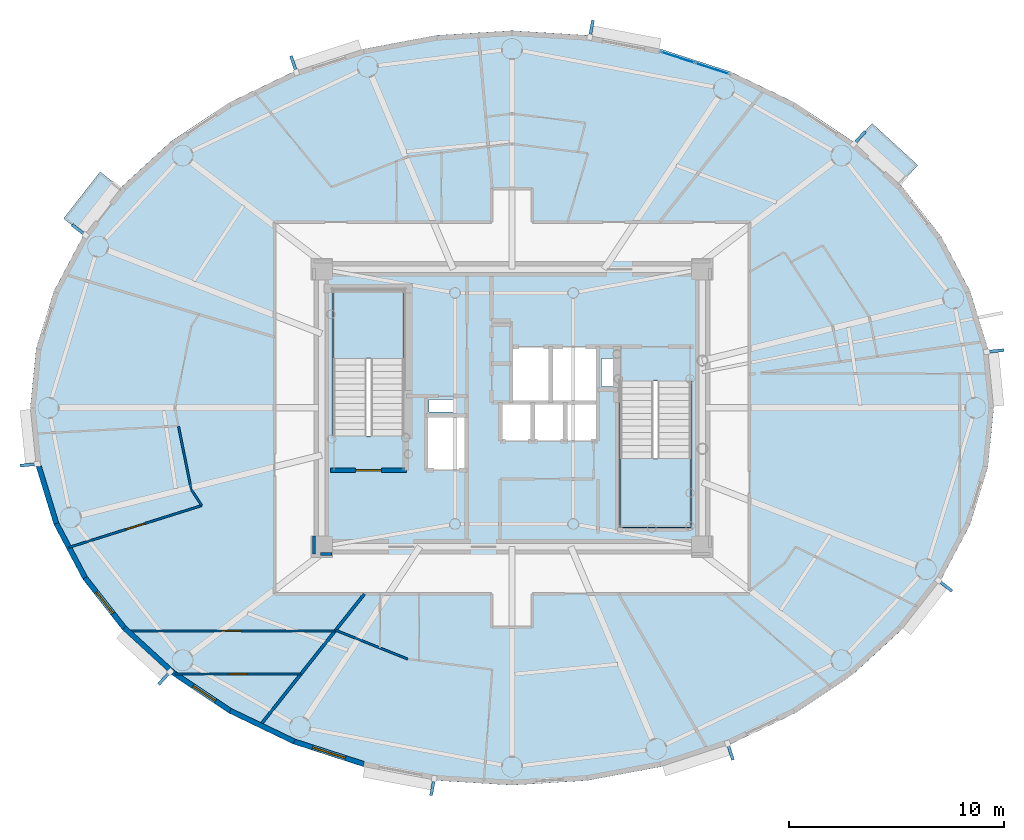
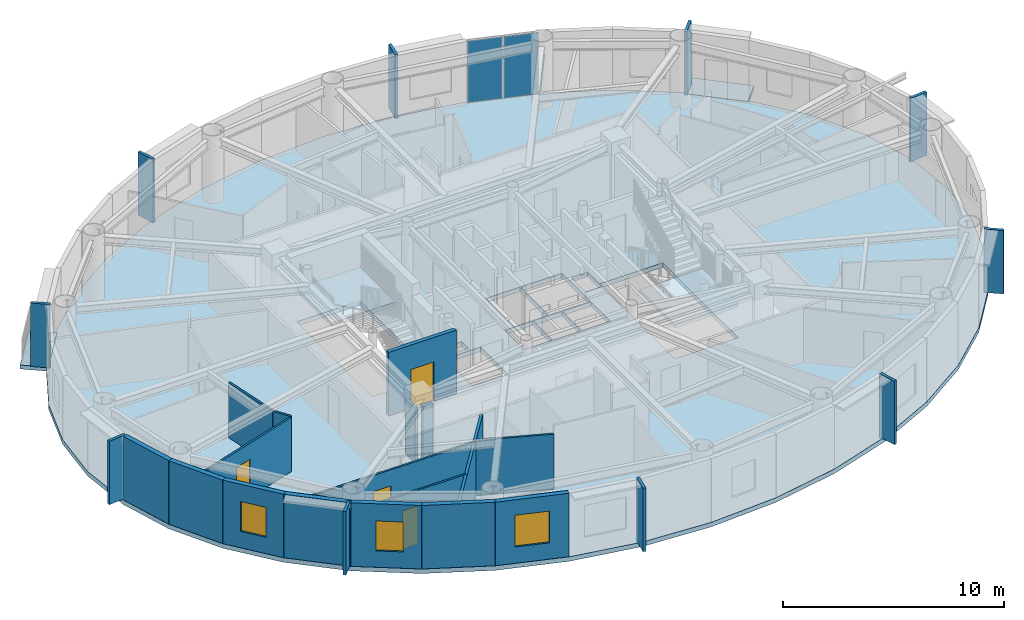
# One storey, part 5 of 17: 17 walls, 12 plates, 5 slabs, 4 doors, 3 windows, 7 openings, 3 elements without a shape of their own.
"""IFC4 building model written with IfcOpenShell, lengths in metres."""

from ifc_helpers import new_model, si_unit, direction, frame, frame_2d, origin, origin_2d, place, context, subcontext, project, spatial, polyline, rectangle, outline, extrude, source, transform, mapped, material, layer, layer_set, type_object, element, fill, aggregate, save


model = new_model("IFC4")

# Units and contexts
model_context = context("Model", 3, precision=1e-05, world=origin(), true_north=direction((0.0, 1.0)))
body_context = subcontext(model_context, "Body", "Model", "MODEL_VIEW")
ifc_project = project(units=[si_unit("LENGTHUNIT", "METRE"), si_unit("AREAUNIT", "SQUARE_METRE"), si_unit("VOLUMEUNIT", "CUBIC_METRE"), si_unit("PLANEANGLEUNIT", "RADIAN"), si_unit("MASSUNIT", "GRAM", prefix="KILO")], contexts=[model_context])

# Site, building, storey
site_placement = place(None, origin())
site = spatial("IfcSite", under=ifc_project, at=site_placement, CompositionType="ELEMENT")
building_placement = place(site_placement, origin())
building = spatial("IfcBuilding", under=site, at=building_placement, Name="Linh Dai School and Residence Tower", CompositionType="ELEMENT")
storey_placement = place(building_placement, frame((0.0, 0.0, 276.75)))
storey = spatial("IfcBuildingStorey", under=building, at=storey_placement, Name="L68", CompositionType="ELEMENT", Elevation=276.75)

# Slabs
ifc_material_1 = material(Name="Concrete B45 (C35/45)", Category="concrete")
ifc_layer_1 = layer(ifc_material_1, 0.219970703125)
ifc_layer_set_1 = layer_set([ifc_layer_1], Name="Concrete B45 (C35/45)")
slab_type_1 = type_object("IfcSlabType", Name="SLB-BALC-220", PredefinedType="FLOOR", material=ifc_layer_set_1)
slab_1_placement = place(storey_placement, frame((0.0, 0.0, -0.219970703125)))
element("IfcSlab", 1, at=slab_1_placement, inside=storey, type_object=slab_type_1, Name="L68 Sliding Balcony Slab 05", PredefinedType="FLOOR", context=body_context, shape_type="SweptSolid", body=[
    extrude(outline(polyline([(51.8662109375, 39.269775390625), (53.987060546875, 37.325439453125), (54.865478515625, 38.28369140625), (52.744873046875, 40.22802734375), (51.8662109375, 39.269775390625)])), origin(), (0.0, 0.0, 1.0), 0.219970703125),
])
slab_2_placement = place(storey_placement, frame((0.0, 0.0, -0.219970703125)))
element("IfcSlab", 2, at=slab_2_placement, inside=storey, type_object=slab_type_1, Name="L68 Sliding Balcony Slab 17", PredefinedType="FLOOR", context=body_context, shape_type="SweptSolid", body=[
    extrude(outline(polyline([(16.17236328125, 35.001220703125), (17.87255859375, 37.173828125), (16.848876953125, 37.974853515625), (15.148681640625, 35.802490234375), (16.17236328125, 35.001220703125)])), origin(), (0.0, 0.0, 1.0), 0.219970703125),
])
ifc_layer_2 = layer(ifc_material_1, 0.25)
ifc_layer_set_2 = layer_set([ifc_layer_2], Name="Concrete B45 (C35/45)")
slab_type_2 = type_object("IfcSlabType", Name="SLB-FLR250", PredefinedType="FLOOR", material=ifc_layer_set_2)
slab_3_placement = place(storey_placement, frame((0.0, 0.0, -0.25)))
element("IfcSlab", 3, at=slab_3_placement, inside=storey, type_object=slab_type_2, Name="L68 Composite Structural Floor Slab", PredefinedType="FLOOR", context=body_context, shape_type="SweptSolid", body=[
    extrude(outline(polyline([(58.39990234375, 27.0), (58.124267578125, 29.743896484375), (57.3037109375, 32.420166015625), (55.95849609375, 34.962890625), (54.1220703125, 37.309814453125), (51.839111328125, 39.402587890625), (49.16650390625, 41.190185546875), (46.16943359375, 42.628173828125), (42.921875, 43.681640625), (39.504150390625, 44.323974609375), (36.0, 44.5400390625), (32.495849609375, 44.323974609375), (29.078125, 43.681640625), (25.83056640625, 42.628173828125), (22.83349609375, 41.190185546875), (20.160888671875, 39.402587890625), (17.8779296875, 37.309814453125), (16.04150390625, 34.962890625), (14.6962890625, 32.420166015625), (13.875732421875, 29.743896484375), (13.60009765625, 27.0), (13.875732421875, 24.256103515625), (14.6962890625, 21.579833984375), (16.04150390625, 19.037109375), (17.8779296875, 16.690185546875), (20.160888671875, 14.597412109375), (22.83349609375, 12.809814453125), (25.83056640625, 11.371826171875), (29.078125, 10.318359375), (32.495849609375, 9.676025390625), (36.0, 9.4599609375), (39.504150390625, 9.676025390625), (42.921875, 10.318359375), (46.16943359375, 11.371826171875), (49.16650390625, 12.809814453125), (51.839111328125, 14.597412109375), (54.1220703125, 16.690185546875), (55.95849609375, 19.037109375), (57.3037109375, 21.579833984375), (58.124267578125, 24.256103515625), (58.39990234375, 27.0)]), holes=[polyline([(30.97998046875, 25.699951171875), (30.97998046875, 32.5), (27.679931640625, 32.5), (27.679931640625, 25.699951171875), (30.97998046875, 25.699951171875)]), polyline([(41.02001953125, 28.25), (41.02001953125, 21.449951171875), (44.320068359375, 21.449951171875), (44.320068359375, 28.25), (41.02001953125, 28.25)]), polyline([(35.97998046875, 27.280029296875), (37.77001953125, 27.280029296875), (37.77001953125, 29.820068359375), (35.97998046875, 29.820068359375), (35.97998046875, 27.280029296875)]), polyline([(32.030029296875, 24.1298828125), (33.8701171875, 24.1298828125), (33.8701171875, 26.6201171875), (32.030029296875, 26.6201171875), (32.030029296875, 24.1298828125)]), polyline([(37.830078125, 27.280029296875), (39.969970703125, 27.280029296875), (39.969970703125, 29.820068359375), (37.830078125, 29.820068359375), (37.830078125, 27.280029296875)]), polyline([(35.47998046875, 25.47998046875), (36.929931640625, 25.47998046875), (36.929931640625, 27.219970703125), (35.47998046875, 27.219970703125), (35.47998046875, 25.47998046875)]), polyline([(36.989990234375, 25.47998046875), (38.449951171875, 25.47998046875), (38.449951171875, 27.219970703125), (36.989990234375, 27.219970703125), (36.989990234375, 25.47998046875)]), polyline([(38.510009765625, 25.47998046875), (39.969970703125, 25.47998046875), (39.969970703125, 27.219970703125), (38.510009765625, 27.219970703125), (38.510009765625, 25.47998046875)]), polyline([(40.14990234375, 28.0), (40.14990234375, 29.300048828125), (41.0, 29.300048828125), (41.0, 28.280029296875), (40.989990234375, 28.280029296875), (40.989990234375, 28.0), (40.14990234375, 28.0)]), polyline([(32.14990234375, 26.800048828125), (33.35009765625, 26.800048828125), (33.35009765625, 27.39990234375), (32.14990234375, 27.39990234375), (32.14990234375, 26.800048828125)])]), origin(), (0.0, 0.0, 1.0), 0.25),
])

# Stair, slab
stair_type = type_object("IfcStairType", Name="ST-DOG-1550-R1442", PredefinedType="HALF_TURN_STAIR", material=ifc_material_1)
stair_1_placement = place(storey_placement, origin())
stair_1 = element("IfcStair", 4, at=stair_1_placement, inside=storey, type_object=stair_type, Name="L68 Core Smokeproof Exit Stair ST1", PredefinedType="HALF_TURN_STAIR")
ifc_layer_3 = layer(ifc_material_1, 0.199951171875)
ifc_layer_set_3 = layer_set([ifc_layer_3], Name="Concrete B45 (C35/45)")
slab_type_3 = type_object("IfcSlabType", Name="SLB-ST-LANDING-200", PredefinedType="LANDING", material=ifc_layer_set_3)
slab_4_placement = place(storey_placement, frame((0.0, 0.0, 1.675048828125)))
slab_4 = element("IfcSlab", 5, at=slab_4_placement, type_object=slab_type_3, Name="ST1 landing 1", PredefinedType="LANDING", context=body_context, shape_type="SweptSolid", body=[
    extrude(outline(polyline([(30.97998046875, 29.300048828125), (30.97998046875, 32.5), (27.679931640625, 32.5), (27.679931640625, 29.300048828125), (30.97998046875, 29.300048828125)])), origin(), (0.0, 0.0, 1.0), 0.199951171875),
])
aggregate(stair_1, [slab_4])

stair_2_placement = place(storey_placement, origin())
stair_2 = element("IfcStair", 6, at=stair_2_placement, inside=storey, type_object=stair_type, Name="L68 Core Smokeproof Exit Stair ST2", PredefinedType="HALF_TURN_STAIR")
slab_5_placement = place(storey_placement, frame((0.0, 0.0, 1.675048828125)))
slab_5 = element("IfcSlab", 7, at=slab_5_placement, type_object=slab_type_3, Name="ST2 landing 1", PredefinedType="LANDING", context=body_context, shape_type="SweptSolid", body=[
    extrude(outline(polyline([(41.02001953125, 24.64990234375), (41.02001953125, 21.449951171875), (44.320068359375, 21.449951171875), (44.320068359375, 24.64990234375), (41.02001953125, 24.64990234375)])), origin(), (0.0, 0.0, 1.0), 0.199951171875),
])
aggregate(stair_2, [slab_5])

# Plates
ifc_material_2 = material(Name="Precast Concrete B45 (C35/45)", Category="concrete")
ifc_layer_4 = layer(ifc_material_2, 0.139892578125)
ifc_layer_set_4 = layer_set([ifc_layer_4], Name="Precast Concrete B45 (C35/45)")
plate_type_1 = type_object("IfcPlateType", Name="FIN-TC-900x140", PredefinedType="USERDEFINED", material=ifc_layer_set_4)
shared_shape_1 = source(origin(), body_context, "Body", "SweptSolid", [
    extrude(rectangle(XDim=0.89990234375, YDim=0.139892578125, at=origin_2d()), origin(), (0.0, 0.0, 1.0), 3.5),
])
for number, where, z_axis, x_axis, name in (
    (8, (58.421630859375, 29.640625, 0.0), (0.0, 0.0, 1.0), (0.994986629598, 0.100008034283, 0.0), "L68 Precast Terracotta Radial Fin 01"),
    (9, (52.127685546875, 39.525390625, 0.0), (0.0, 0.0, 1.0), (0.67577730889, 0.737105846394, 0.0), "L68 Precast Terracotta Radial Fin 05"),
    (10, (39.682373046875, 44.580810546875, 0.0), (0.0, 0.0, 1.0), (0.184751197452, 0.982785325002, 0.0), "L68 Precast Terracotta Radial Fin 09"),
    (11, (25.864501953125, 42.939208984375, 0.0), (0.0, 0.0, 1.0), (-0.308518805176, 0.951218243545, 0.0), "L68 Precast Terracotta Radial Fin 13"),
    (12, (15.897216796875, 35.241943359375, 0.0), (0.0, 0.0, 1.0), (-0.78750300393, 0.616310813471, 0.0), "L68 Precast Terracotta Radial Fin 17"),
    (13, (13.578369140625, 24.359375, 0.0), (0.0, 0.0, 1.0), (-0.994986629598, -0.100008034283, 0.0), "L68 Precast Terracotta Radial Fin 21"),
    (14, (19.872314453125, 14.474609375, 0.0), (0.0, 0.0, 1.0), (-0.675779074535, -0.737104227651, 0.0), "L68 Precast Terracotta Radial Fin 25"),
    (15, (32.317626953125, 9.419189453125, 0.0), (0.0, 0.0, 1.0), (-0.184751197452, -0.982785325002, 0.0), "L68 Precast Terracotta Radial Fin 29"),
    (16, (46.135498046875, 11.060791015625, 0.0), (0.0, 0.0, 1.0), (0.308518805176, -0.951218243545, 0.0), "L68 Precast Terracotta Radial Fin 33"),
    (17, (56.102783203125, 18.758056640625, 0.0), (0.0, 0.0, 1.0), (0.78750300393, -0.616310813471, 0.0), "L68 Precast Terracotta Radial Fin 37"),
):
    element("IfcPlate", number, at=place(storey_placement, frame(where, z_axis=z_axis, x_axis=x_axis)), inside=storey, type_object=plate_type_1, Name=name, ObjectType="RADIAL FIN", PredefinedType="USERDEFINED", context=body_context, shape_type="MappedRepresentation", body=[
        mapped(shared_shape_1, transform((0.0, 0.0, 0.0), x_axis=(1.0, 0.0, 0.0), y_axis=(0.0, 1.0, 0.0), z_axis=(0.0, 0.0, 1.0), scale=1.0)),
    ])

# Curtain wall, plates
ifc_material_3 = material(Name="Aluminium Anodised Curtain Wall", Category="aluminium")
ifc_layer_5 = layer(ifc_material_3, 0.14990234375)
ifc_layer_set_5 = layer_set([ifc_layer_5], Name="Aluminium Anodised Curtain Wall")
curtain_wall_type = type_object("IfcCurtainWallType", Name="CW-SYS-4", PredefinedType="USERDEFINED", material=ifc_layer_set_5)
curtain_wall_placement = place(storey_placement, origin())
curtain_wall = element("IfcCurtainWall", 18, at=curtain_wall_placement, inside=storey, type_object=curtain_wall_type, Name="L68 CW4 Curtain Wall 08", ObjectType="RIBBON CURTAIN WALL", PredefinedType="USERDEFINED")
ifc_material_4 = material(Name="Double Low-E Insulated Glazing", Category="glass")
ifc_layer_6 = layer(ifc_material_4, 0.02587890625)
ifc_layer_set_6 = layer_set([ifc_layer_6], Name="Double Low-E Insulated Glazing")
plate_type_2 = type_object("IfcPlateType", Name="CW-SYS-4-PAN", PredefinedType="CURTAIN_PANEL", material=ifc_layer_set_6)
shared_shape_2 = source(origin(), body_context, "Body", "SweptSolid", [
    extrude(rectangle(XDim=1.620849609375, YDim=0.02587890625, at=origin_2d()), origin(), (0.0, 0.0, 1.0), 3.39599609375),
])
plate_1_placement = place(storey_placement, frame((43.71142578125, 43.29443359375, 0.052001953125), z_axis=(0.0, 0.0, 1.0), x_axis=(0.951218243545, -0.308518805176, 0.0)))
plate_1 = element("IfcPlate", 19, at=plate_1_placement, type_object=plate_type_2, Name="CW4 panel 1.1", PredefinedType="CURTAIN_PANEL", context=body_context, shape_type="MappedRepresentation", body=[
    mapped(shared_shape_2, transform((0.0, 0.0, 0.0), x_axis=(1.0, 0.0, 0.0), y_axis=(0.0, 1.0, 0.0), z_axis=(0.0, 0.0, 1.0), scale=1.0)),
])
plate_2_placement = place(storey_placement, frame((45.302734375, 42.7783203125, 0.052001953125), z_axis=(0.0, 0.0, 1.0), x_axis=(0.951218243545, -0.308518805176, 0.0)))
plate_2 = element("IfcPlate", 20, at=plate_2_placement, type_object=plate_type_2, Name="CW4 panel 2.1", PredefinedType="CURTAIN_PANEL", context=body_context, shape_type="MappedRepresentation", body=[
    mapped(shared_shape_2, transform((0.0, 0.0, 0.0), x_axis=(1.0, 0.0, 0.0), y_axis=(0.0, 1.0, 0.0), z_axis=(0.0, 0.0, 1.0), scale=1.0)),
])
aggregate(curtain_wall, [plate_1, plate_2])

# Walls
ifc_layer_7 = layer(ifc_material_2, 0.239990234375)
ifc_layer_set_7 = layer_set([ifc_layer_7], Name="Precast Concrete B45 (C35/45)")
wall_type_1 = type_object("IfcWallType", Name="EW-TC-240", PredefinedType="SOLIDWALL", material=ifc_layer_set_7)
wall_1_placement = place(storey_placement, frame((14.811767578125, 21.627685546875, 0.0), z_axis=(0.0, 0.0, 1.0), x_axis=(-0.2931213403, 0.956075248012, 0.0)))
element("IfcWall", 21, at=wall_1_placement, inside=storey, type_object=wall_type_1, Name="L68 Terracotta Exterior Wall 22", PredefinedType="SOLIDWALL", context=body_context, shape_type="SweptSolid", body=[
    extrude(rectangle(XDim=2.775146484375, YDim=0.239990234375, at=frame_2d((1.3876953125, 0.0))), origin(), (0.0, 0.0, 1.0), 3.5),
])
wall_2_placement = place(storey_placement, frame((16.146240234375, 19.105224609375, 0.0), z_axis=(0.0, 0.0, 1.0), x_axis=(-0.467628269026, 0.883925224218, 0.0)))
element("IfcWall", 22, at=wall_2_placement, inside=storey, type_object=wall_type_1, Name="L68 Terracotta Exterior Wall 23", PredefinedType="SOLIDWALL", context=body_context, shape_type="SweptSolid", body=[
    extrude(rectangle(XDim=2.853759765625, YDim=0.239990234375, at=frame_2d((1.4267578125, 0.0))), origin(), (0.0, 0.0, 1.0), 3.5),
])

# Wall, opening, window
wall_3_placement = place(storey_placement, frame((17.9697265625, 16.775390625, 0.0), z_axis=(0.0, 0.0, 1.0), x_axis=(-0.616337186556, 0.787482363275, 0.0)))
wall_3 = element("IfcWall", 23, at=wall_3_placement, inside=storey, type_object=wall_type_1, Name="L68 Terracotta Exterior Wall 24", PredefinedType="SOLIDWALL", context=body_context, shape_type="SweptSolid", body=[
    extrude(rectangle(XDim=2.95849609375, YDim=0.239990234375, at=frame_2d((1.479248046875, 0.0))), origin(), (0.0, 0.0, 1.0), 3.5),
])
opening_1_placement = place(wall_3_placement, frame((0.85400390625, 0.0, 0.89990234375)))
opening_1 = element("IfcOpeningElement", 24, at=opening_1_placement, cuts=wall_3, Name="Opening W3", PredefinedType="OPENING", context=body_context, shape_type="SweptSolid", body=[
    extrude(rectangle(XDim=1.25, YDim=1.64990234375, at=origin_2d()), frame((0.625, 0.1298828125, 0.824951171875), z_axis=(0.0, -1.0, 0.0), x_axis=(1.0, 0.0, 0.0)), (0.0, 0.0, 1.0), 0.260009765625),
])
window_type_1 = type_object("IfcWindowType", Name="WN-RES-1250x1650", PartitioningType="SINGLE_PANEL", PredefinedType="WINDOW", material=ifc_material_4)
shared_shape_3 = source(origin(), body_context, "Body", "SweptSolid", [
    extrude(rectangle(XDim=1.25, YDim=1.64990234375, at=origin_2d()), frame((0.625, 0.030029296875, 0.824951171875), z_axis=(0.0, -1.0, 0.0), x_axis=(1.0, 0.0, 0.0)), (0.0, 0.0, 1.0), 0.06005859375),
])
window_1_placement = place(opening_1_placement, origin())
window_1 = element("IfcWindow", 25, at=window_1_placement, inside=storey, type_object=window_type_1, Name="L68 Exterior Window 24.1", OverallHeight=1.64990234375, OverallWidth=1.25, PartitioningType="SINGLE_PANEL", PredefinedType="WINDOW", context=body_context, shape_type="MappedRepresentation", body=[
    mapped(shared_shape_3, transform((0.0, 0.0, 0.0), x_axis=(1.0, 0.0, 0.0), y_axis=(0.0, 1.0, 0.0), z_axis=(0.0, 0.0, 1.0), scale=1.0)),
])
fill(opening_1, window_1)

# Wall
wall_4_placement = place(storey_placement, frame((20.23779296875, 14.69580078125, 0.0), z_axis=(0.0, 0.0, 1.0), x_axis=(-0.737068506972, 0.675818034703, 0.0)))
element("IfcWall", 26, at=wall_4_placement, inside=storey, type_object=wall_type_1, Name="L68 Terracotta Exterior Wall 25", PredefinedType="SOLIDWALL", context=body_context, shape_type="SweptSolid", body=[
    extrude(rectangle(XDim=3.0771484375, YDim=0.239990234375, at=frame_2d((1.53857421875, 0.0))), origin(), (0.0, 0.0, 1.0), 3.5),
])

# Wall, opening, window
wall_5_placement = place(storey_placement, frame((22.8955078125, 12.91845703125, 0.0), z_axis=(0.0, 0.0, 1.0), x_axis=(-0.831250592635, 0.55589787933, 0.0)))
wall_5 = element("IfcWall", 27, at=wall_5_placement, inside=storey, type_object=wall_type_1, Name="L68 Terracotta Exterior Wall 26", PredefinedType="SOLIDWALL", context=body_context, shape_type="SweptSolid", body=[
    extrude(rectangle(XDim=3.197265625, YDim=0.239990234375, at=frame_2d((1.5986328125, 0.0))), origin(), (0.0, 0.0, 1.0), 3.5),
])
opening_2_placement = place(wall_5_placement, frame((0.822265625, 0.0, 0.89990234375)))
opening_2 = element("IfcOpeningElement", 28, at=opening_2_placement, cuts=wall_5, Name="Opening W3", PredefinedType="OPENING", context=body_context, shape_type="SweptSolid", body=[
    extrude(rectangle(XDim=1.25, YDim=1.64990234375, at=origin_2d()), frame((0.625, 0.1298828125, 0.824951171875), z_axis=(0.0, -1.0, 0.0), x_axis=(1.0, 0.0, 0.0)), (0.0, 0.0, 1.0), 0.260009765625),
])
window_2_placement = place(opening_2_placement, origin())
window_2 = element("IfcWindow", 29, at=window_2_placement, inside=storey, type_object=window_type_1, Name="L68 Exterior Window 26.1", OverallHeight=1.64990234375, OverallWidth=1.25, PartitioningType="SINGLE_PANEL", PredefinedType="WINDOW", context=body_context, shape_type="MappedRepresentation", body=[
    mapped(shared_shape_3, transform((0.0, 0.0, 0.0), x_axis=(1.0, 0.0, 0.0), y_axis=(0.0, 1.0, 0.0), z_axis=(0.0, 0.0, 1.0), scale=1.0)),
])
fill(opening_2, window_2)

# Wall
wall_6_placement = place(storey_placement, frame((25.876953125, 11.48779296875, 0.0), z_axis=(0.0, 0.0, 1.0), x_axis=(-0.901573741254, 0.43262546051, 0.0)))
element("IfcWall", 30, at=wall_6_placement, inside=storey, type_object=wall_type_1, Name="L68 Terracotta Exterior Wall 27", PredefinedType="SOLIDWALL", context=body_context, shape_type="SweptSolid", body=[
    extrude(rectangle(XDim=3.306884765625, YDim=0.239990234375, at=frame_2d((1.6533203125, 0.0))), origin(), (0.0, 0.0, 1.0), 3.5),
])

# Wall, opening, window
wall_7_placement = place(storey_placement, frame((29.10888671875, 10.439697265625, 0.0), z_axis=(0.0, 0.0, 1.0), x_axis=(-0.95123136723, 0.308478339592, 0.0)))
wall_7 = element("IfcWall", 31, at=wall_7_placement, inside=storey, type_object=wall_type_1, Name="L68 Terracotta Exterior Wall 28", PredefinedType="SOLIDWALL", context=body_context, shape_type="SweptSolid", body=[
    extrude(rectangle(XDim=3.397705078125, YDim=0.239990234375, at=frame_2d((1.69873046875, 0.0))), origin(), (0.0, 0.0, 1.0), 3.5),
])
opening_3_placement = place(wall_7_placement, frame((0.898681640625, 0.0, 0.89990234375)))
opening_3 = element("IfcOpeningElement", 32, at=opening_3_placement, cuts=wall_7, Name="Opening W2", PredefinedType="OPENING", context=body_context, shape_type="SweptSolid", body=[
    extrude(rectangle(XDim=1.60009765625, YDim=1.75, at=origin_2d()), frame((0.800048828125, 0.1298828125, 0.875), z_axis=(0.0, -1.0, 0.0), x_axis=(1.0, 0.0, 0.0)), (0.0, 0.0, 1.0), 0.260009765625),
])
window_type_2 = type_object("IfcWindowType", Name="WN-RES-1600x1750", PartitioningType="DOUBLE_PANEL_VERTICAL", PredefinedType="WINDOW", material=ifc_material_4)
shared_shape_4 = source(origin(), body_context, "Body", "SweptSolid", [
    extrude(rectangle(XDim=1.60009765625, YDim=1.75, at=origin_2d()), frame((0.800048828125, 0.030029296875, 0.875), z_axis=(0.0, -1.0, 0.0), x_axis=(1.0, 0.0, 0.0)), (0.0, 0.0, 1.0), 0.06005859375),
])
window_3_placement = place(opening_3_placement, origin())
window_3 = element("IfcWindow", 33, at=window_3_placement, inside=storey, type_object=window_type_2, Name="L68 Exterior Window 28.1", OverallHeight=1.75, OverallWidth=1.60009765625, PartitioningType="DOUBLE_PANEL_VERTICAL", PredefinedType="WINDOW", context=body_context, shape_type="MappedRepresentation", body=[
    mapped(shared_shape_4, transform((0.0, 0.0, 0.0), x_axis=(1.0, 0.0, 0.0), y_axis=(0.0, 1.0, 0.0), z_axis=(0.0, 0.0, 1.0), scale=1.0)),
])
fill(opening_3, window_3)

# Walls
ifc_material_5 = material(Name="Autoclaved Aerated Concrete Blockwork", Category="masonry")
ifc_layer_8 = layer(ifc_material_5, 0.135009765625)
ifc_layer_set_8 = layer_set([ifc_layer_8], Name="Autoclaved Aerated Concrete Blockwork")
wall_type_2 = type_object("IfcWallType", Name="IW-CORR-135-EI90", PredefinedType="PARTITIONING", material=ifc_layer_set_8)
wall_8_placement = place(storey_placement, frame((24.2939453125, 12.241943359375, 0.0), z_axis=(0.0, 0.0, 1.0), x_axis=(0.621439784824, 0.783461928774, 0.0)))
element("IfcWall", 34, at=wall_8_placement, inside=storey, type_object=wall_type_2, Name="L68 Interior Partition Wall 012", PredefinedType="PARTITIONING", context=body_context, shape_type="SweptSolid", body=[
    extrude(rectangle(XDim=7.79638671875, YDim=0.135009765625, at=frame_2d((3.898193359375, 0.0))), origin(), (0.0, 0.0, 1.0), 2.985107421875),
])
wall_9_placement = place(storey_placement, frame((26.800048828125, 21.0400390625, 0.0), z_axis=(0.0, 0.0, 1.0), x_axis=(0.0, -1.0, 0.0)))
element("IfcWall", 35, at=wall_9_placement, inside=storey, type_object=wall_type_2, Name="L68 Interior Partition Wall 090", PredefinedType="PARTITIONING", context=body_context, shape_type="SweptSolid", body=[
    extrude(rectangle(XDim=0.840087890625, YDim=0.135009765625, at=frame_2d((0.419921875, 0.0))), origin(), (0.0, 0.0, 1.0), 3.034912109375),
])
wall_10_placement = place(storey_placement, frame((27.107421875, 20.199951171875, 0.0), z_axis=(0.0, 0.0, 1.0), x_axis=(1.0, 0.0, 0.0)))
element("IfcWall", 36, at=wall_10_placement, inside=storey, type_object=wall_type_2, Name="L68 Interior Partition Wall 091", PredefinedType="PARTITIONING", context=body_context, shape_type="SweptSolid", body=[
    extrude(rectangle(XDim=0.532470703125, YDim=0.135009765625, at=frame_2d((0.26611328125, 0.0))), origin(), (0.0, 0.0, 1.0), 3.034912109375),
])

# Wall, opening, door
ifc_layer_9 = layer(ifc_material_1, 0.199951171875)
ifc_layer_set_9 = layer_set([ifc_layer_9], Name="Concrete B45 (C35/45)")
wall_type_3 = type_object("IfcWallType", Name="IW-SHAFT-200-EI120", PredefinedType="PARTITIONING", material=ifc_layer_set_9)
wall_11_placement = place(storey_placement, frame((27.56005859375, 24.10009765625, 0.0), z_axis=(0.0, 0.0, 1.0), x_axis=(1.0, 0.0, 0.0)))
wall_11 = element("IfcWall", 37, at=wall_11_placement, inside=storey, type_object=wall_type_3, Name="L68 Interior Partition Wall 016", PredefinedType="PARTITIONING", context=body_context, shape_type="SweptSolid", body=[
    extrude(rectangle(XDim=3.5400390625, YDim=0.199951171875, at=frame_2d((1.77001953125, 0.0))), origin(), (0.0, 0.0, 1.0), 3.5),
])
opening_4_placement = place(wall_11_placement, frame((1.169921875, 0.0, 0.0)))
opening_4 = element("IfcOpeningElement", 38, at=opening_4_placement, cuts=wall_11, Name="Opening D01", PredefinedType="OPENING", context=body_context, shape_type="SweptSolid", body=[
    extrude(rectangle(XDim=1.199951171875, YDim=2.14990234375, at=origin_2d()), frame((0.60009765625, 0.10986328125, 1.074951171875), z_axis=(0.0, -1.0, 0.0), x_axis=(1.0, 0.0, 0.0)), (0.0, 0.0, 1.0), 0.219970703125),
])
ifc_material_6 = material(Name="Fire-Rated Steel Door Leaf", Category="steel")
door_type_1 = type_object("IfcDoorType", Name="DR-STAIR-1200x2150-FD90S", OperationType="NOTDEFINED", PredefinedType="DOOR", material=ifc_material_6)
shared_shape_5 = source(origin(), body_context, "Body", "SweptSolid", [
    extrude(rectangle(XDim=1.199951171875, YDim=2.14990234375, at=origin_2d()), frame((0.60009765625, 0.02490234375, 1.074951171875), z_axis=(0.0, -1.0, 0.0), x_axis=(1.0, 0.0, 0.0)), (0.0, 0.0, 1.0), 0.050048828125),
])
door_1_placement = place(opening_4_placement, origin())
door_1 = element("IfcDoor", 39, at=door_1_placement, inside=storey, type_object=door_type_1, Name="L68 Core Smokeproof Exit Stair ST1 Door", OperationType="SINGLE_SWING_RIGHT", OverallHeight=2.14990234375, OverallWidth=1.199951171875, PredefinedType="DOOR", context=body_context, shape_type="MappedRepresentation", body=[
    mapped(shared_shape_5, transform((0.0, 0.0, 0.0), x_axis=(1.0, 0.0, 0.0), y_axis=(0.0, 1.0, 0.0), z_axis=(0.0, 0.0, 1.0), scale=1.0)),
])
fill(opening_4, door_1)

ifc_material_7 = material(Name="Gypsum Plasterboard Acoustic Stud Partition", Category="masonry")
ifc_layer_10 = layer(ifc_material_7, 0.10009765625)
ifc_layer_set_10 = layer_set([ifc_layer_10], Name="Gypsum Plasterboard Acoustic Stud Partition")
wall_type_4 = type_object("IfcWallType", Name="IW-UNIT-100", PredefinedType="PARTITIONING", material=ifc_layer_set_10)
wall_12_placement = place(storey_placement, frame((15.3955078125, 20.513916015625, 0.0), z_axis=(0.0, 0.0, 1.0), x_axis=(0.95385684782, 0.300261742264, 0.0)))
wall_12 = element("IfcWall", 40, at=wall_12_placement, inside=storey, type_object=wall_type_4, Name="L68 Interior Partition Wall 003", PredefinedType="PARTITIONING", context=body_context, shape_type="SweptSolid", body=[
    extrude(rectangle(XDim=6.47705078125, YDim=0.10009765625, at=frame_2d((3.238525390625, 0.0))), origin(), (0.0, 0.0, 1.0), 2.985107421875),
])
opening_5_placement = place(wall_12_placement, frame((2.78857421875, 0.0, 0.0)))
opening_5 = element("IfcOpeningElement", 41, at=opening_5_placement, cuts=wall_12, Name="Opening D05", PredefinedType="OPENING", context=body_context, shape_type="SweptSolid", body=[
    extrude(rectangle(XDim=0.89990234375, YDim=2.10009765625, at=origin_2d()), frame((0.449951171875, 0.06005859375, 1.050048828125), z_axis=(0.0, -1.0, 0.0), x_axis=(1.0, 0.0, 0.0)), (0.0, 0.0, 1.0), 0.1201171875),
])
ifc_material_8 = material(Name="Engineered Timber Internal Door", Category="wood")
door_type_2 = type_object("IfcDoorType", Name="DR-INT-900x2100", OperationType="NOTDEFINED", PredefinedType="DOOR", material=ifc_material_8)
shared_shape_6 = source(origin(), body_context, "Body", "SweptSolid", [
    extrude(rectangle(XDim=0.89990234375, YDim=2.10009765625, at=origin_2d()), frame((0.449951171875, 0.02490234375, 1.050048828125), z_axis=(0.0, -1.0, 0.0), x_axis=(1.0, 0.0, 0.0)), (0.0, 0.0, 1.0), 0.050048828125),
])
door_2_placement = place(opening_5_placement, origin())
door_2 = element("IfcDoor", 42, at=door_2_placement, inside=storey, type_object=door_type_2, Name="L68 Apartment U6804 Study Door", OperationType="SINGLE_SWING_RIGHT", OverallHeight=2.10009765625, OverallWidth=0.89990234375, PredefinedType="DOOR", context=body_context, shape_type="MappedRepresentation", body=[
    mapped(shared_shape_6, transform((0.0, 0.0, 0.0), x_axis=(1.0, 0.0, 0.0), y_axis=(0.0, 1.0, 0.0), z_axis=(0.0, 0.0, 1.0), scale=1.0)),
])
fill(opening_5, door_2)

wall_13_placement = place(storey_placement, frame((18.11767578125, 16.632568359375, 0.0), z_axis=(0.0, 0.0, 1.0), x_axis=(1.0, 0.0, 0.0)))
wall_13 = element("IfcWall", 43, at=wall_13_placement, inside=storey, type_object=wall_type_4, Name="L68 Interior Partition Wall 004", PredefinedType="PARTITIONING", context=body_context, shape_type="SweptSolid", body=[
    extrude(rectangle(XDim=9.6591796875, YDim=0.10009765625, at=frame_2d((4.82958984375, 0.0))), origin(), (0.0, 0.0, 1.0), 2.985107421875),
])
opening_6_placement = place(wall_13_placement, frame((4.37939453125, 0.0, 0.0)))
opening_6 = element("IfcOpeningElement", 44, at=opening_6_placement, cuts=wall_13, Name="Opening D05", PredefinedType="OPENING", context=body_context, shape_type="SweptSolid", body=[
    extrude(rectangle(XDim=0.89990234375, YDim=2.10009765625, at=origin_2d()), frame((0.449951171875, 0.06005859375, 1.050048828125), z_axis=(0.0, -1.0, 0.0), x_axis=(1.0, 0.0, 0.0)), (0.0, 0.0, 1.0), 0.1201171875),
])
door_3_placement = place(opening_6_placement, origin())
door_3 = element("IfcDoor", 45, at=door_3_placement, inside=storey, type_object=door_type_2, Name="L68 Apartment U6804 Kitchen Door", OperationType="SINGLE_SWING_LEFT", OverallHeight=2.10009765625, OverallWidth=0.89990234375, PredefinedType="DOOR", context=body_context, shape_type="MappedRepresentation", body=[
    mapped(shared_shape_6, transform((0.0, 0.0, 0.0), x_axis=(1.0, 0.0, 0.0), y_axis=(0.0, 1.0, 0.0), z_axis=(0.0, 0.0, 1.0), scale=1.0)),
])
fill(opening_6, door_3)

wall_14_placement = place(storey_placement, frame((20.3330078125, 14.626220703125, 0.0), z_axis=(0.0, 0.0, 1.0), x_axis=(1.0, 0.0, 0.0)))
wall_14 = element("IfcWall", 46, at=wall_14_placement, inside=storey, type_object=wall_type_4, Name="L68 Interior Partition Wall 007", PredefinedType="PARTITIONING", context=body_context, shape_type="SweptSolid", body=[
    extrude(rectangle(XDim=5.852294921875, YDim=0.10009765625, at=frame_2d((2.92626953125, 0.0))), origin(), (0.0, 0.0, 1.0), 2.985107421875),
])
opening_7_placement = place(wall_14_placement, frame((2.51611328125, 0.0, 0.0)))
opening_7 = element("IfcOpeningElement", 47, at=opening_7_placement, cuts=wall_14, Name="Opening D06", PredefinedType="OPENING", context=body_context, shape_type="SweptSolid", body=[
    extrude(rectangle(XDim=0.820068359375, YDim=2.10009765625, at=origin_2d()), frame((0.41015625, 0.06005859375, 1.050048828125), z_axis=(0.0, -1.0, 0.0), x_axis=(1.0, 0.0, 0.0)), (0.0, 0.0, 1.0), 0.1201171875),
])
ifc_material_9 = material(Name="Moisture-Resistant Timber Bathroom Door", Category="wood")
door_type_3 = type_object("IfcDoorType", Name="DR-WET-820x2100", OperationType="NOTDEFINED", PredefinedType="DOOR", material=ifc_material_9)
shared_shape_7 = source(origin(), body_context, "Body", "SweptSolid", [
    extrude(rectangle(XDim=0.820068359375, YDim=2.10009765625, at=origin_2d()), frame((0.41015625, 0.02490234375, 1.050048828125), z_axis=(0.0, -1.0, 0.0), x_axis=(1.0, 0.0, 0.0)), (0.0, 0.0, 1.0), 0.050048828125),
])
door_4_placement = place(opening_7_placement, origin())
door_4 = element("IfcDoor", 48, at=door_4_placement, inside=storey, type_object=door_type_3, Name="L68 Apartment U6804 Bathroom 1 Door", OperationType="SINGLE_SWING_RIGHT", OverallHeight=2.10009765625, OverallWidth=0.820068359375, PredefinedType="DOOR", context=body_context, shape_type="MappedRepresentation", body=[
    mapped(shared_shape_7, transform((0.0, 0.0, 0.0), x_axis=(1.0, 0.0, 0.0), y_axis=(0.0, 1.0, 0.0), z_axis=(0.0, 0.0, 1.0), scale=1.0)),
])
fill(opening_7, door_4)

# Walls
wall_15_placement = place(storey_placement, frame((20.491455078125, 26.152099609375, 0.0), z_axis=(0.0, 0.0, 1.0), x_axis=(0.198255475343, -0.980150379532, 0.0)))
element("IfcWall", 49, at=wall_15_placement, inside=storey, type_object=wall_type_4, Name="L68 Interior Partition Wall 008", PredefinedType="PARTITIONING", context=body_context, shape_type="SweptSolid", body=[
    extrude(rectangle(XDim=3.005859375, YDim=0.10009765625, at=frame_2d((1.5029296875, 0.0))), origin(), (0.0, 0.0, 1.0), 3.034912109375),
])
wall_16_placement = place(storey_placement, frame((21.08740234375, 23.205810546875, 0.0), z_axis=(0.0, 0.0, 1.0), x_axis=(0.545565820765, -0.838067977681, 0.0)))
element("IfcWall", 50, at=wall_16_placement, inside=storey, type_object=wall_type_4, Name="L68 Interior Partition Wall 009", PredefinedType="PARTITIONING", context=body_context, shape_type="SweptSolid", body=[
    extrude(rectangle(XDim=0.891357421875, YDim=0.10009765625, at=frame_2d((0.44580078125, 0.0))), origin(), (0.0, 0.0, 1.0), 3.034912109375),
])
wall_17_placement = place(storey_placement, frame((27.799560546875, 16.66162109375, 0.0), z_axis=(0.0, 0.0, 1.0), x_axis=(0.928783988526, -0.370621508628, 0.0)))
element("IfcWall", 51, at=wall_17_placement, inside=storey, type_object=wall_type_4, Name="L68 Interior Partition Wall 018", PredefinedType="PARTITIONING", context=body_context, shape_type="SweptSolid", body=[
    extrude(rectangle(XDim=3.612548828125, YDim=0.10009765625, at=frame_2d((1.80615234375, 0.0))), origin(), (0.0, 0.0, 1.0), 3.034912109375),
])

save(model, "model.ifc")
